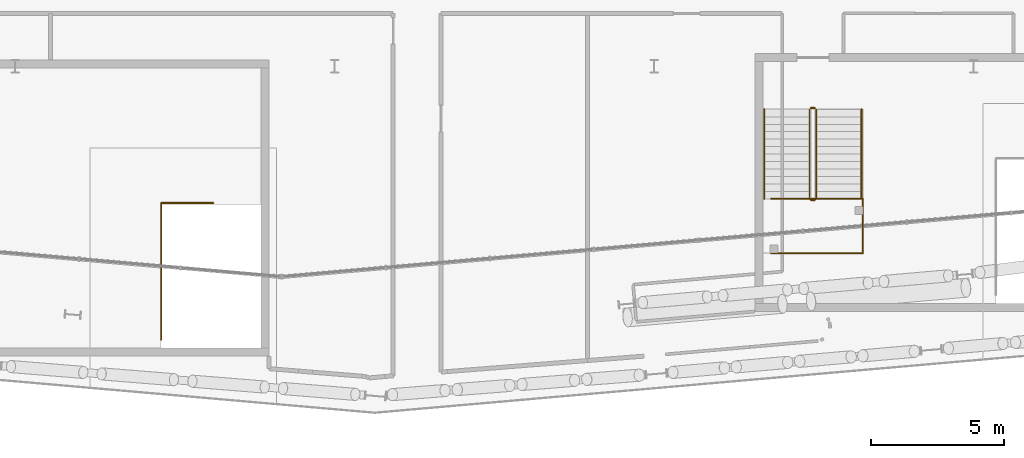
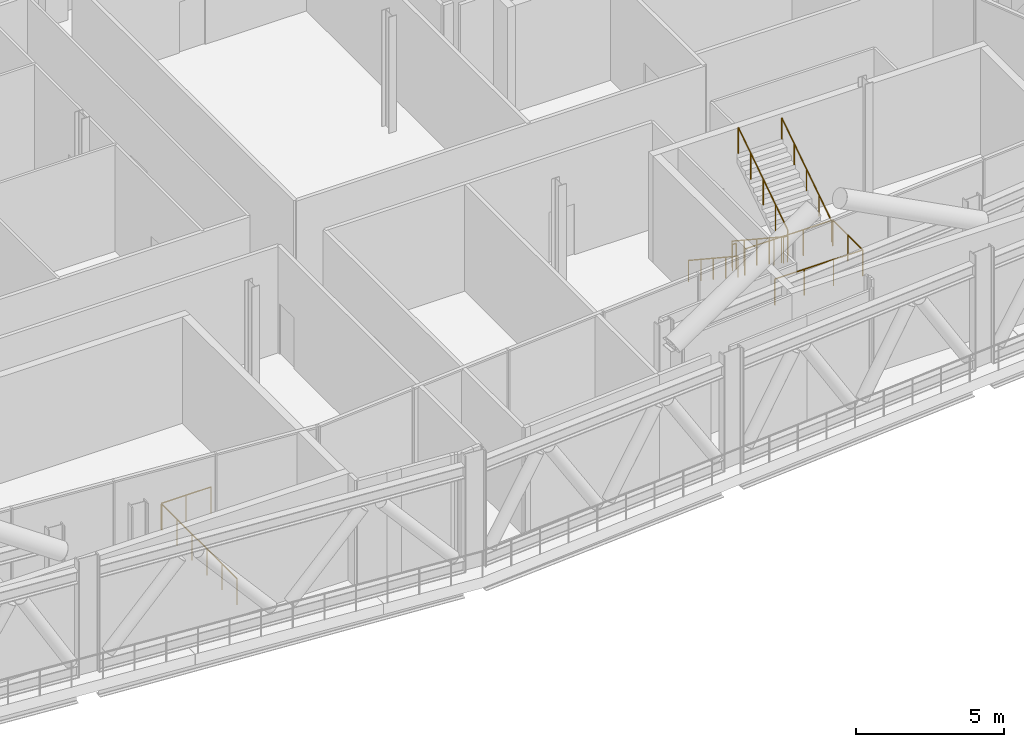
# One storey, part 37 of 42: 9 railings.
"""IFC4 building model written with IfcOpenShell, lengths in metres."""

from ifc_helpers import new_model, si_unit, direction, frame, origin, origin_2d, place, context, subcontext, project, spatial, circle, extrude, material, type_object, element, save


model = new_model("IFC4")

# Units and contexts
model_context = context("Model", 3, precision=1e-05, world=origin(), true_north=direction((0.0, 1.0)))
body_context = subcontext(model_context, "Body", "Model", "MODEL_VIEW")
ifc_project = project(units=[si_unit("LENGTHUNIT", "METRE"), si_unit("AREAUNIT", "SQUARE_METRE"), si_unit("VOLUMEUNIT", "CUBIC_METRE"), si_unit("PLANEANGLEUNIT", "RADIAN"), si_unit("MASSUNIT", "GRAM", prefix="KILO")], contexts=[model_context])

# Site, building, storey
site_placement = place(None, origin())
site = spatial("IfcSite", under=ifc_project, at=site_placement, CompositionType="ELEMENT")
building_placement = place(site_placement, origin())
building = spatial("IfcBuilding", under=site, at=building_placement, Name="Wharfspan Tower", CompositionType="ELEMENT")
storey_placement = place(building_placement, frame((0.0, 0.0, 147.100098)))
storey = spatial("IfcBuildingStorey", under=building, at=storey_placement, Name="L35", CompositionType="ELEMENT", Elevation=147.100098)

# Railings
ifc_material = material(Name="Steel S355J2", Category="steel")
railing_type_1 = type_object("IfcRailingType", Name="Stair guard 1100", PredefinedType="GUARDRAIL", material=ifc_material)
railing_1_placement = place(storey_placement, frame((41.485352, 6.316895, 0.0)))
element("IfcRailing", 1, at=railing_1_placement, inside=storey, type_object=railing_type_1, Name="L35 ST4 band guard 4", PredefinedType="GUARDRAIL", context=body_context, shape_type="SweptSolid", body=[
    extrude(circle(Radius=0.023926, at=origin_2d()), frame((0.0, 0.0, 1.076172), z_axis=(0.0, -1.0, 0.0), x_axis=(1.0, 0.0, 0.0)), (0.0, 0.0, 1.0), 5.089844),
    extrude(circle(Radius=0.020996, at=origin_2d()), origin(), (0.0, 0.0, 1.0), 1.052002),
    extrude(circle(Radius=0.020996, at=origin_2d()), frame((0.0, -1.018066, 0.0)), (0.0, 0.0, 1.0), 1.052002),
    extrude(circle(Radius=0.020996, at=origin_2d()), frame((0.0, -2.035889, 0.0)), (0.0, 0.0, 1.0), 1.052002),
    extrude(circle(Radius=0.020996, at=origin_2d()), frame((0.0, -3.053955, 0.0)), (0.0, 0.0, 1.0), 1.052002),
    extrude(circle(Radius=0.020996, at=origin_2d()), frame((0.0, -4.071777, 0.0)), (0.0, 0.0, 1.0), 1.052002),
    extrude(circle(Radius=0.020996, at=origin_2d()), frame((0.0, -5.089844, 0.0)), (0.0, 0.0, 1.0), 1.052002),
])
railing_2_placement = place(storey_placement, frame((64.396484, 4.483643, 2.399902)))
element("IfcRailing", 2, at=railing_2_placement, inside=storey, type_object=railing_type_1, Name="L35 ST5 band guard 1", PredefinedType="GUARDRAIL", context=body_context, shape_type="SweptSolid", body=[
    extrude(circle(Radius=0.023926, at=origin_2d()), frame((0.0, 0.0, 1.076172), z_axis=(1.0, 0.0, 0.0), x_axis=(0.0, 1.0, 0.0)), (0.0, 0.0, 1.0), 3.439941),
    extrude(circle(Radius=0.020996, at=origin_2d()), origin(), (0.0, 0.0, 1.0), 1.052002),
    extrude(circle(Radius=0.020996, at=origin_2d()), frame((1.146729, 0.0, 0.0)), (0.0, 0.0, 1.0), 1.052002),
    extrude(circle(Radius=0.020996, at=origin_2d()), frame((2.293213, 0.0, 0.0)), (0.0, 0.0, 1.0), 1.052002),
    extrude(circle(Radius=0.020996, at=origin_2d()), frame((3.439941, 0.0, 0.0)), (0.0, 0.0, 1.0), 1.052002),
])
railing_3_placement = place(storey_placement, frame((67.836426, 4.483643, 2.399902)))
element("IfcRailing", 3, at=railing_3_placement, inside=storey, type_object=railing_type_1, Name="L35 ST5 band guard 2", PredefinedType="GUARDRAIL", context=body_context, shape_type="SweptSolid", body=[
    extrude(circle(Radius=0.023926, at=origin_2d()), frame((0.0, 0.0, 1.076172), z_axis=(0.0, 1.0, 0.0), x_axis=(-1.0, 0.0, 0.0)), (0.0, 0.0, 1.0), 2.040039),
    extrude(circle(Radius=0.020996, at=origin_2d()), origin(), (0.0, 0.0, 1.0), 1.052002),
    extrude(circle(Radius=0.020996, at=origin_2d()), frame((0.0, 1.02002, 0.0)), (0.0, 0.0, 1.0), 1.052002),
    extrude(circle(Radius=0.020996, at=origin_2d()), frame((0.0, 2.040039, 0.0)), (0.0, 0.0, 1.0), 1.052002),
])
railing_4_placement = place(storey_placement, frame((67.836426, 6.523682, 2.399902)))
element("IfcRailing", 4, at=railing_4_placement, inside=storey, type_object=railing_type_1, Name="L35 ST5 band guard 3", PredefinedType="GUARDRAIL", context=body_context, shape_type="SweptSolid", body=[
    extrude(circle(Radius=0.023926, at=origin_2d()), frame((0.0, 0.0, 1.076172), z_axis=(-1.0, 0.0, 0.0), x_axis=(0.0, -1.0, 0.0)), (0.0, 0.0, 1.0), 3.439941),
    extrude(circle(Radius=0.020996, at=origin_2d()), origin(), (0.0, 0.0, 1.0), 1.052002),
    extrude(circle(Radius=0.020996, at=origin_2d()), frame((-1.146729, 0.0, 0.0)), (0.0, 0.0, 1.0), 1.052002),
    extrude(circle(Radius=0.020996, at=origin_2d()), frame((-2.293213, 0.0, 0.0)), (0.0, 0.0, 1.0), 1.052002),
    extrude(circle(Radius=0.020996, at=origin_2d()), frame((-3.439941, 0.0, 0.0)), (0.0, 0.0, 1.0), 1.052002),
])
railing_5_placement = place(storey_placement, frame((41.485352, 6.366943, 0.0)))
element("IfcRailing", 5, at=railing_5_placement, inside=storey, type_object=railing_type_1, Name="L35 ST4 top well guard 1", PredefinedType="GUARDRAIL", context=body_context, shape_type="SweptSolid", body=[
    extrude(circle(Radius=0.023926, at=origin_2d()), frame((0.0, 0.0, 1.076172), z_axis=(1.0, 0.0, 0.0), x_axis=(0.0, 1.0, 0.0)), (0.0, 0.0, 1.0), 1.949951),
    extrude(circle(Radius=0.020996, at=origin_2d()), origin(), (0.0, 0.0, 1.0), 1.052002),
    extrude(circle(Radius=0.020996, at=origin_2d()), frame((0.975098, 0.0, 0.0)), (0.0, 0.0, 1.0), 1.052002),
    extrude(circle(Radius=0.020996, at=origin_2d()), frame((1.949951, 0.0, 0.0)), (0.0, 0.0, 1.0), 1.052002),
])
railing_6_placement = place(storey_placement, frame((65.836426, 9.883789, 0.18457)))
element("IfcRailing", 6, at=railing_6_placement, inside=storey, type_object=railing_type_1, Name="L35 ST5 stair guard 1", PredefinedType="GUARDRAIL", context=body_context, shape_type="SweptSolid", body=[
    extrude(circle(Radius=0.023926, at=origin_2d()), frame((0.0, 0.0, 1.076172), z_axis=(0.0, -0.834876, 0.550437), x_axis=(1.0, 0.0, 0.0)), (0.0, 0.0, 1.0), 4.024658),
    extrude(circle(Radius=0.023926, at=origin_2d()), frame((0.0, -3.360107, 3.291504), z_axis=(0.705376, -0.708834, 0.0), x_axis=(0.708834, 0.705376, 0.0)), (0.0, 0.0, 1.0), 0.070557),
    extrude(circle(Radius=0.023926, at=origin_2d()), frame((0.049805, -3.410156, 3.291504), z_axis=(1.0, 0.0, 0.0), x_axis=(0.0, 1.0, 0.0)), (0.0, 0.0, 1.0), 0.150146),
    extrude(circle(Radius=0.023926, at=origin_2d()), frame((0.199951, -3.410156, 3.291504), z_axis=(0.253186, 0.253186, 0.933699), x_axis=(-0.707107, 0.707107, 0.0)), (0.0, 0.0, 1.0), 0.197754),
    extrude(circle(Radius=0.023926, at=origin_2d()), frame((0.25, -3.360107, 3.476074), z_axis=(0.0, 0.834876, 0.550437), x_axis=(-1.0, 0.0, 0.0)), (0.0, 0.0, 1.0), 4.024658),
    extrude(circle(Radius=0.020996, at=origin_2d()), origin(), (0.0, 0.0, 1.0), 1.052002),
    extrude(circle(Radius=0.020996, at=origin_2d()), frame((0.0, -0.840088, 0.553711)), (0.0, 0.0, 1.0), 1.052002),
    extrude(circle(Radius=0.020996, at=origin_2d()), frame((0.0, -1.680176, 1.107666)), (0.0, 0.0, 1.0), 1.052002),
    extrude(circle(Radius=0.020996, at=origin_2d()), frame((0.0, -2.52002, 1.661621)), (0.0, 0.0, 1.0), 1.052002),
    extrude(circle(Radius=0.020996, at=origin_2d()), frame((0.0, -3.360107, 2.215332)), (0.0, 0.0, 1.0), 1.052002),
    extrude(circle(Radius=0.020996, at=origin_2d()), frame((0.049805, -3.410156, 2.215332)), (0.0, 0.0, 1.0), 1.052002),
    extrude(circle(Radius=0.020996, at=origin_2d()), frame((0.199951, -3.410156, 2.215332)), (0.0, 0.0, 1.0), 1.052002),
    extrude(circle(Radius=0.020996, at=origin_2d()), frame((0.25, -3.360107, 2.399902)), (0.0, 0.0, 1.0), 1.052002),
    extrude(circle(Radius=0.020996, at=origin_2d()), frame((0.25, -2.52002, 2.953613)), (0.0, 0.0, 1.0), 1.052002),
    extrude(circle(Radius=0.020996, at=origin_2d()), frame((0.25, -1.680176, 3.507568)), (0.0, 0.0, 1.0), 1.052002),
    extrude(circle(Radius=0.020996, at=origin_2d()), frame((0.25, -0.840088, 4.061523)), (0.0, 0.0, 1.0), 1.052002),
    extrude(circle(Radius=0.020996, at=origin_2d()), frame((0.25, 0.0, 4.615234)), (0.0, 0.0, 1.0), 1.052002),
])
railing_7_placement = place(storey_placement, frame((65.88623, 9.933594, 0.0)))
element("IfcRailing", 7, at=railing_7_placement, inside=storey, type_object=railing_type_1, Name="L35 ST5 stair guard 2", PredefinedType="GUARDRAIL", context=body_context, shape_type="SweptSolid", body=[
    extrude(circle(Radius=0.023926, at=origin_2d()), frame((0.0, 0.0, 1.076172), z_axis=(1.0, 0.0, 0.0), x_axis=(0.0, 1.0, 0.0)), (0.0, 0.0, 1.0), 0.150146),
    extrude(circle(Radius=0.020996, at=origin_2d()), origin(), (0.0, 0.0, 1.0), 1.052002),
    extrude(circle(Radius=0.020996, at=origin_2d()), frame((0.150146, 0.0, 0.0)), (0.0, 0.0, 1.0), 1.052002),
])
railing_type_2 = type_object("IfcRailingType", Name="Stair handrail 900", PredefinedType="HANDRAIL", material=ifc_material)
railing_8_placement = place(storey_placement, frame((64.13623, 9.883789, 0.18457)))
element("IfcRailing", 8, at=railing_8_placement, inside=storey, type_object=railing_type_2, Name="L35 ST5 stair handrail 1", PredefinedType="HANDRAIL", context=body_context, shape_type="SweptSolid", body=[
    extrude(circle(Radius=0.023926, at=origin_2d()), frame((0.0, 0.0, 0.875977), z_axis=(0.0, -0.834876, 0.550437), x_axis=(1.0, 0.0, 0.0)), (0.0, 0.0, 1.0), 4.024658),
    extrude(circle(Radius=0.020996, at=origin_2d()), origin(), (0.0, 0.0, 1.0), 0.851807),
    extrude(circle(Radius=0.020996, at=origin_2d()), frame((0.0, -0.840088, 0.553711)), (0.0, 0.0, 1.0), 0.851807),
    extrude(circle(Radius=0.020996, at=origin_2d()), frame((0.0, -1.680176, 1.107666)), (0.0, 0.0, 1.0), 0.851807),
    extrude(circle(Radius=0.020996, at=origin_2d()), frame((0.0, -2.52002, 1.661621)), (0.0, 0.0, 1.0), 0.851807),
    extrude(circle(Radius=0.020996, at=origin_2d()), frame((0.0, -3.360107, 2.215332)), (0.0, 0.0, 1.0), 0.851807),
])
railing_9_placement = place(storey_placement, frame((67.786377, 6.523682, 2.584473)))
element("IfcRailing", 9, at=railing_9_placement, inside=storey, type_object=railing_type_2, Name="L35 ST5 stair handrail 2", PredefinedType="HANDRAIL", context=body_context, shape_type="SweptSolid", body=[
    extrude(circle(Radius=0.023926, at=origin_2d()), frame((0.0, 0.0, 0.875977), z_axis=(0.0, 0.834876, 0.550437), x_axis=(-1.0, 0.0, 0.0)), (0.0, 0.0, 1.0), 4.024658),
    extrude(circle(Radius=0.020996, at=origin_2d()), origin(), (0.0, 0.0, 1.0), 0.851807),
    extrude(circle(Radius=0.020996, at=origin_2d()), frame((0.0, 0.840088, 0.553711)), (0.0, 0.0, 1.0), 0.851807),
    extrude(circle(Radius=0.020996, at=origin_2d()), frame((0.0, 1.680176, 1.107666)), (0.0, 0.0, 1.0), 0.851807),
    extrude(circle(Radius=0.020996, at=origin_2d()), frame((0.0, 2.52002, 1.661621)), (0.0, 0.0, 1.0), 0.851807),
    extrude(circle(Radius=0.020996, at=origin_2d()), frame((0.0, 3.360107, 2.215332)), (0.0, 0.0, 1.0), 0.851807),
])

save(model, "model.ifc")
